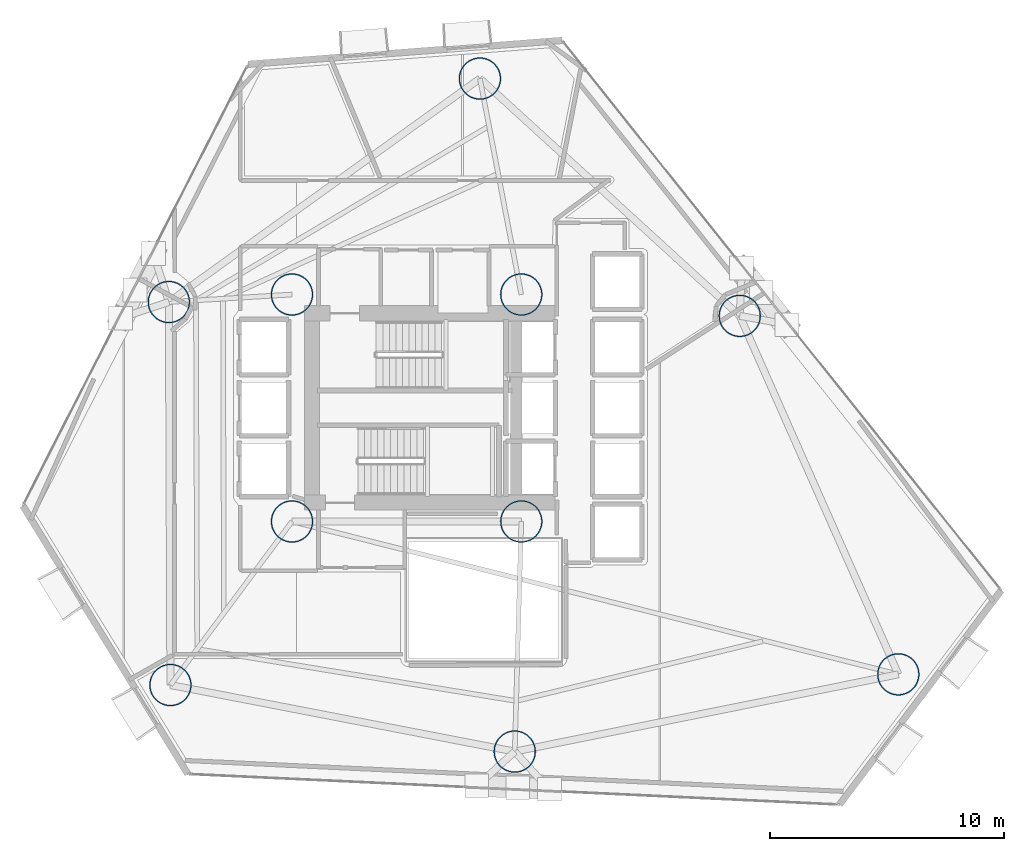
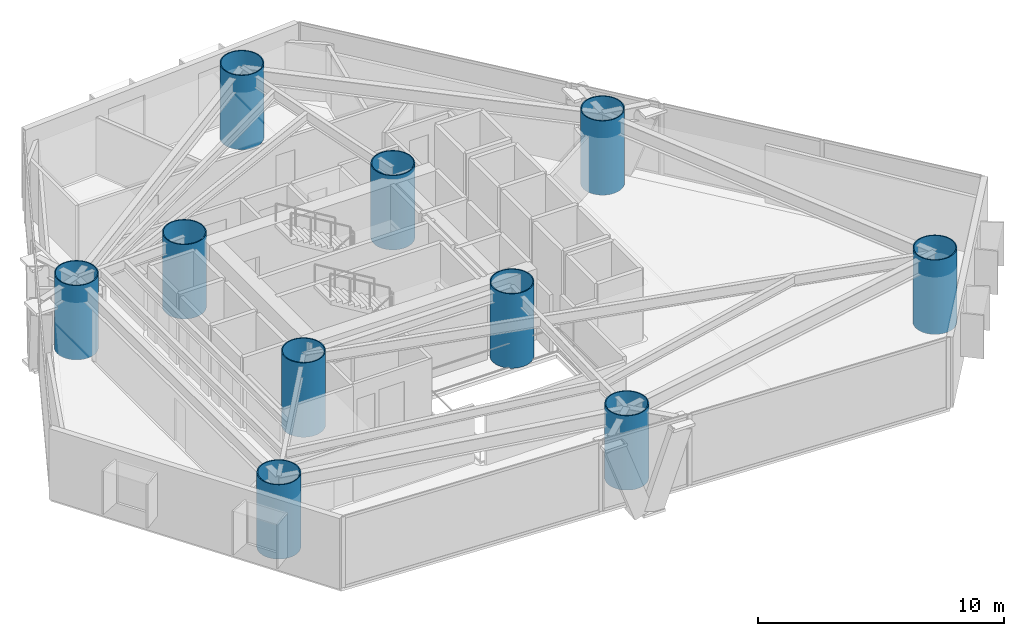
# One storey, part 1 of 23: 10 columns.
"""IFC4 building model written with IfcOpenShell, lengths in metres."""

import ifcopenshell
import ifcopenshell.guid

model = None  # the IFC model being written
_history = None  # IfcOwnerHistory: only IFC2X3 demands one
_inside = {}  # id of a spatial element -> (the spatial element, [elements in it])
_under = {}  # id of a project, library or spatial element -> (it, [spatial elements below it])
_declared = {}  # id of a project -> (the project, [libraries it declares])
_typed = {}  # id of a type object -> (the type object, [elements of that type])
_made_of = {}  # id of a material, layer set ... -> (it, [elements and type objects made of it])


def new_model(schema):
    """Start an empty IFC model of exactly this schema.

    Asked for "IFC4X3", IfcOpenShell would pick the latest addendum, in which some entities
    have other attributes; the version numbers below select the first issue.
    IFC2X3 requires an IfcOwnerHistory on every rooted entity: one is made here for all.
    """
    global model, _history
    if schema == "IFC4X3":
        model = ifcopenshell.file(schema_version=(4, 3, 0, 0))
    else:
        model = ifcopenshell.file(schema=schema)
    _inside.clear()
    _under.clear()
    _declared.clear()
    _typed.clear()
    _made_of.clear()
    _history = None
    if model.schema == "IFC2X3":
        org = make("IfcOrganization", Name="unknown")
        user = make(
            "IfcPersonAndOrganization",
            ThePerson=make("IfcPerson", FamilyName="unknown"),
            TheOrganization=org,
        )
        app = make(
            "IfcApplication",
            ApplicationDeveloper=org,
            Version="unknown",
            ApplicationFullName="unknown",
            ApplicationIdentifier="unknown",
        )
        _history = make(
            "IfcOwnerHistory",
            OwningUser=user,
            OwningApplication=app,
            ChangeAction="ADDED",
            CreationDate=0,
        )
    return model


def make(cls, **values):
    """One entity of the class cls with the attributes given. An attribute that is None is left unset."""
    return model.create_entity(
        cls, **{name: value for name, value in values.items() if value is not None}
    )


def rooted(cls, **values):
    """An entity with a GlobalId (a new one), such as an element, a storey or a relation."""
    return make(cls, GlobalId=ifcopenshell.guid.new(), OwnerHistory=_history, **values)


def si_unit(unit_type, name, prefix=None):
    """IfcSIUnit, for example si_unit("LENGTHUNIT", "METRE", prefix="MILLI")."""
    return make("IfcSIUnit", UnitType=unit_type, Prefix=prefix, Name=name)


def assignment(units):
    """IfcUnitAssignment: the units of a project."""
    return None if units is None else make("IfcUnitAssignment", Units=units)


def point(xyz):
    """IfcCartesianPoint."""
    return None if xyz is None else make("IfcCartesianPoint", Coordinates=xyz)


def direction(xyz):
    """IfcDirection."""
    return None if xyz is None else make("IfcDirection", DirectionRatios=xyz)


def frame(location, z_axis=None, x_axis=None):
    """IfcAxis2Placement3D, a coordinate frame: its origin and axes. An axis left out is left unset."""
    return make(
        "IfcAxis2Placement3D",
        Location=point(location),
        Axis=direction(z_axis),
        RefDirection=direction(x_axis),
    )


def frame_2d(location, x_axis=None):
    """IfcAxis2Placement2D, a coordinate frame in the plane: its origin and x axis."""
    return make(
        "IfcAxis2Placement2D", Location=point(location), RefDirection=direction(x_axis)
    )


def origin():
    """The frame at (0, 0, 0) with its axes left unset."""
    return frame((0.0, 0.0, 0.0))


def origin_2d():
    """The frame at (0, 0) in the plane with its x axis left unset."""
    return frame_2d((0.0, 0.0))


def place(relative_to, where):
    """IfcLocalPlacement: puts the frame where relative to a parent placement (None: the world)."""
    return make(
        "IfcLocalPlacement", PlacementRelTo=relative_to, RelativePlacement=where
    )


def context(
    kind, dimensions, precision=None, world=None, true_north=None, identifier=None
):
    """IfcGeometricRepresentationContext, for example the 3D "Model" context."""
    return make(
        "IfcGeometricRepresentationContext",
        ContextIdentifier=identifier,
        ContextType=kind,
        CoordinateSpaceDimension=dimensions,
        Precision=precision,
        WorldCoordinateSystem=world,
        TrueNorth=true_north,
    )


def subcontext(parent, identifier, kind, view, scale=None):
    """IfcGeometricRepresentationSubContext, for example "Body" below "Model"."""
    return make(
        "IfcGeometricRepresentationSubContext",
        ContextIdentifier=identifier,
        ContextType=kind,
        ParentContext=parent,
        TargetScale=scale,
        TargetView=view,
    )


def project(units=None, contexts=None):
    """IfcProject with its units and contexts."""
    return rooted(
        "IfcProject",
        Name="project",
        RepresentationContexts=contexts,
        UnitsInContext=assignment(units),
    )


def spatial(cls, under=None, at=None, **own):
    """A site, building, storey or space (cls), placed at a placement, below another one or the project."""
    s = rooted(cls, ObjectPlacement=at, **own)
    if under is not None:
        _under.setdefault(under.id(), (under, []))[1].append(s)
    return s


def profile(cls, at=None, kind="AREA", **sizes):
    """A parametric profile (cls). Its sizes go by their IFC names, for example OverallWidth=200.0."""
    return make(cls, ProfileType=kind, Position=at, **sizes)


def hollow_circle(**sizes):
    """IfcCircleHollowProfileDef."""
    return profile("IfcCircleHollowProfileDef", **sizes)


def extrude(swept, where, along, depth):
    """IfcExtrudedAreaSolid: the profile swept, set in the frame where, extruded along a direction by depth."""
    return make(
        "IfcExtrudedAreaSolid",
        SweptArea=swept,
        Position=where,
        ExtrudedDirection=direction(along),
        Depth=depth,
    )


def shape(context_of_items, identifier, shape_type, items):
    """IfcShapeRepresentation: the items that make up one representation, for example the "Body"."""
    return make(
        "IfcShapeRepresentation",
        ContextOfItems=context_of_items,
        RepresentationIdentifier=identifier,
        RepresentationType=shape_type,
        Items=items,
    )


def material(Name=None, Category=None):
    """IfcMaterial."""
    return make("IfcMaterial", Name=Name, Category=Category)


def material_profile(
    of_material, cross_section, Name=None, Category=None, Priority=None
):
    """IfcMaterialProfile: a cross section and its material."""
    return make(
        "IfcMaterialProfile",
        Name=Name,
        Material=of_material,
        Profile=cross_section,
        Priority=Priority,
        Category=Category,
    )


def profile_set(profiles, Name=None, composite=None):
    """IfcMaterialProfileSet."""
    return make(
        "IfcMaterialProfileSet",
        Name=Name,
        MaterialProfiles=profiles,
        CompositeProfile=composite,
    )


def made_of(thing, what):
    """Note that an element or type object is made of a material, layer set ...; save() writes the relation."""
    if what is not None:
        _made_of.setdefault(what.id(), (what, []))[1].append(thing)
    return thing


def type_object(cls, material=None, **own):
    """A type object (cls), such as IfcWallType, which elements share."""
    return made_of(rooted(cls, **own), material)


def element(
    cls,
    number,
    at=None,
    inside=None,
    cuts=None,
    type_object=None,
    material=None,
    context=None,
    identifier="Body",
    shape_type=None,
    held_by="IfcProductDefinitionShape",
    body=None,
    shapes=None,
    **own,
):
    """One element of the class cls, such as IfcWall. Its Tag is "e" and its number.

    at: its placement. inside: the storey or other place that contains it. cuts: it is an
    opening in that element (IfcRelVoidsElement). A single representation is given by context,
    identifier, shape_type and body (its items); several are given by shapes. held_by: the class
    of the entity that holds the representations. save() writes the other relations.
    """
    e = rooted(cls, Tag="e%d" % number, ObjectPlacement=at, **own)
    if body is not None:
        shapes = [shape(context, identifier, shape_type, body)]
    if shapes is not None:
        e.Representation = make(held_by, Representations=shapes)
    if inside is not None:
        _inside.setdefault(inside.id(), (inside, []))[1].append(e)
    if cuts is not None:
        rooted(
            "IfcRelVoidsElement", RelatingBuildingElement=cuts, RelatedOpeningElement=e
        )
    if type_object is not None:
        _typed.setdefault(type_object.id(), (type_object, []))[1].append(e)
    return made_of(e, material)


def aggregate(whole, parts):
    """IfcRelAggregates: a whole, such as a stair, and the parts it consists of."""
    return rooted("IfcRelAggregates", RelatingObject=whole, RelatedObjects=parts)


def save(model, path):
    """Write the relations noted so far, then the file.

    IfcRelAggregates (storeys below a building ...), IfcRelContainedInSpatialStructure (elements
    in a storey), IfcRelDefinesByType, IfcRelAssociatesMaterial and IfcRelDeclares: one each for
    every whole, place, type object, material and project.
    """
    for whole, parts in _under.values():
        aggregate(whole, parts)
    for where, things in _inside.values():
        rooted(
            "IfcRelContainedInSpatialStructure",
            RelatedElements=things,
            RelatingStructure=where,
        )
    for kind, things in _typed.values():
        rooted("IfcRelDefinesByType", RelatedObjects=things, RelatingType=kind)
    for what, things in _made_of.values():
        rooted("IfcRelAssociatesMaterial", RelatedObjects=things, RelatingMaterial=what)
    for by, libraries in _declared.values():
        rooted("IfcRelDeclares", RelatingContext=by, RelatedDefinitions=libraries)
    model.write(path)


model = new_model("IFC4")

# Units and contexts
model_context = context("Model", 3, precision=1e-05, world=origin(), true_north=direction((0.0, 1.0)))
body_context = subcontext(model_context, "Body", "Model", "MODEL_VIEW")
ifc_project = project(units=[si_unit("LENGTHUNIT", "METRE"), si_unit("AREAUNIT", "SQUARE_METRE"), si_unit("VOLUMEUNIT", "CUBIC_METRE"), si_unit("PLANEANGLEUNIT", "RADIAN"), si_unit("MASSUNIT", "GRAM", prefix="KILO")], contexts=[model_context])

# Site, building, storey
site_placement = place(None, origin())
site = spatial("IfcSite", under=ifc_project, at=site_placement, CompositionType="ELEMENT")
building_placement = place(site_placement, origin())
building = spatial("IfcBuilding", under=site, at=building_placement, Name="Qianvela Tower", CompositionType="ELEMENT")
storey_placement = place(building_placement, frame((0.0, 0.0, 33.10009765625)))
storey = spatial("IfcBuildingStorey", under=building, at=storey_placement, Name="L07", CompositionType="ELEMENT", Elevation=33.10009765625)

# Columns
ifc_material = material(Name="Steel Q420GJC", Category="steel")
ifc_material_profile = material_profile(ifc_material, hollow_circle(Radius=0.89990234375, WallThickness=0.044921875, at=origin_2d()), Name="CFT-1800x45")
ifc_profile_set = profile_set([ifc_material_profile], Name="Steel Q420GJC")
column_type = type_object("IfcColumnType", Name="COL-CFT-1800x45", PredefinedType="COLUMN", material=ifc_profile_set)
for number, where, z_axis, x_axis, name in (
    (1, (28.60009765625, 33.550048828125, 0.0), (0.0, 0.0, 1.0), (1.0, 0.0, 0.0), "L07 Core Corner Mega-Column CC-NW"),
    (2, (28.60009765625, 23.85009765625, 0.0), (0.0, 0.0, 1.0), (1.0, 0.0, 0.0), "L07 Core Corner Mega-Column CC-SW"),
    (3, (38.39990234375, 33.550048828125, 0.0), (0.0, 0.0, 1.0), (1.0, 0.0, 0.0), "L07 Core Corner Mega-Column CC-NE"),
    (4, (38.39990234375, 23.85009765625, 0.0), (0.0, 0.0, 1.0), (1.0, 0.0, 0.0), "L07 Core Corner Mega-Column CC-SE"),
    (5, (54.511962890625, 17.31689453125, 0.0), (0.0, 0.0, 1.0), (1.0, 0.0, 0.0), "L07 Zone Z1 CFT Mega-Column C1"),
    (6, (47.736083984375, 32.636962890625, 0.0), (0.0, 0.0, 1.0), (1.0, 0.0, 0.0), "L07 Zone Z1 CFT Mega-Column C2"),
    (7, (36.632080078125, 42.778076171875, 0.0), (0.0, 0.0, 1.0), (1.0, 0.0, 0.0), "L07 Zone Z1 CFT Mega-Column C3"),
    (8, (23.337890625, 33.22802734375, 0.0), (0.0, 0.0, 1.0), (1.0, 0.0, 0.0), "L07 Zone Z1 CFT Mega-Column C4"),
    (9, (23.404052734375, 16.860107421875, 0.0), (0.0, 0.0, 1.0), (1.0, 0.0, 0.0), "L07 Zone Z1 CFT Mega-Column C5"),
    (10, (38.1201171875, 14.01611328125, 0.0), (0.0, 0.0, 1.0), (1.0, 0.0, 0.0), "L07 Zone Z1 CFT Mega-Column C6"),
):
    element("IfcColumn", number, at=place(storey_placement, frame(where, z_axis=z_axis, x_axis=x_axis)), inside=storey, type_object=column_type, Name=name, PredefinedType="COLUMN", context=body_context, shape_type="SweptSolid", body=[
        extrude(hollow_circle(Radius=0.89990234375, WallThickness=0.044921875, at=origin_2d()), origin(), (0.0, 0.0, 1.0), 3.699951171875),
    ])

save(model, "model.ifc")
